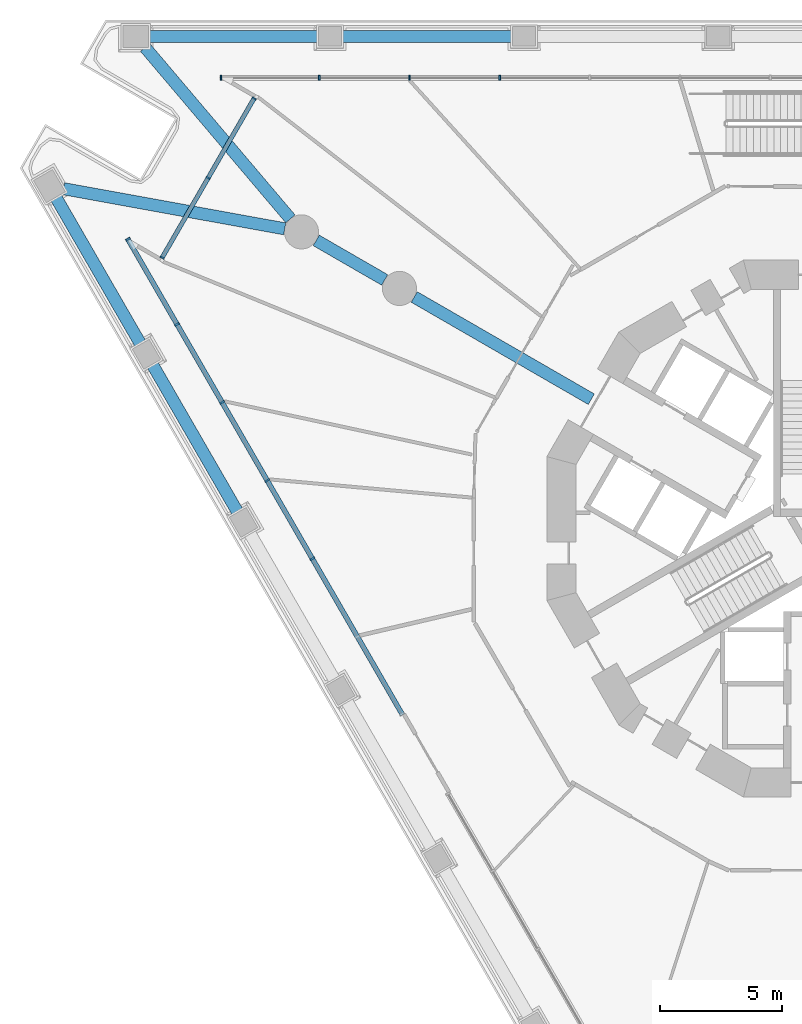
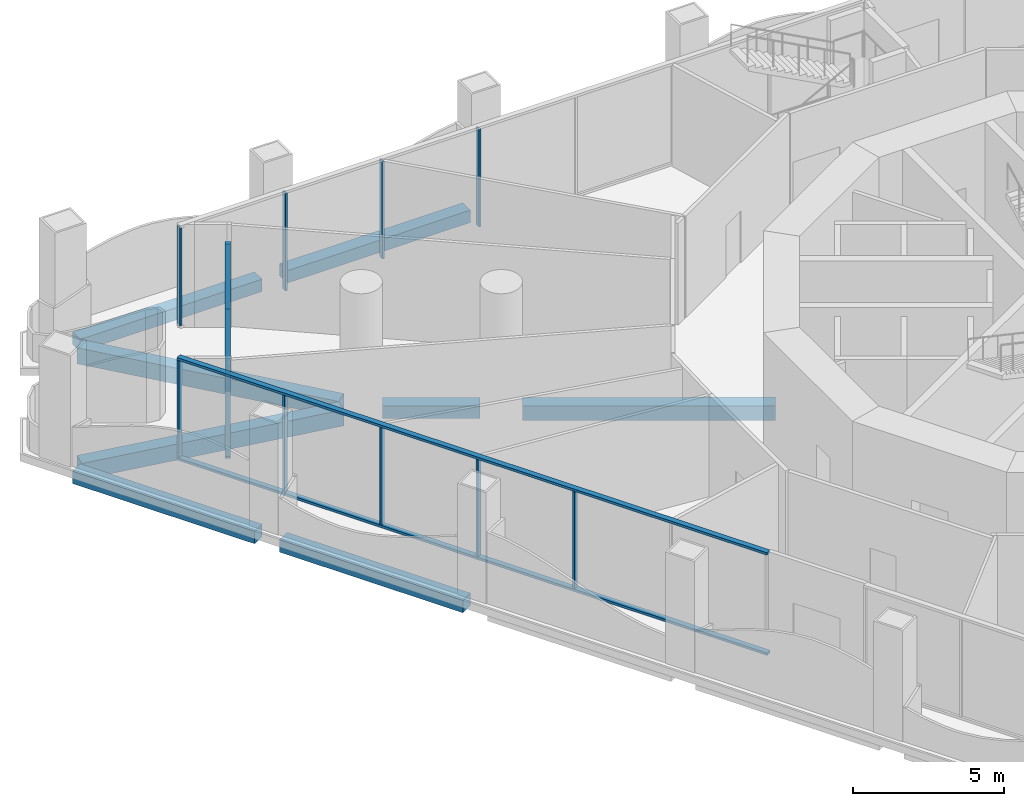
# One storey, part 5 of 22: 16 members, 8 beams, 3 elements without a shape of their own.
"""IFC4 building model written with IfcOpenShell, lengths in metres."""

from ifc_helpers import new_model, si_unit, direction, frame, origin, origin_2d, place, context, subcontext, project, spatial, rectangle, extrude, material, layer, layer_set, material_profile, profile_set, type_object, element, aggregate, save


model = new_model("IFC4")

# Units and contexts
model_context = context("Model", 3, precision=1e-05, world=origin(), true_north=direction((0.0, 1.0)))
body_context = subcontext(model_context, "Body", "Model", "MODEL_VIEW")
ifc_project = project(units=[si_unit("LENGTHUNIT", "METRE"), si_unit("AREAUNIT", "SQUARE_METRE"), si_unit("VOLUMEUNIT", "CUBIC_METRE"), si_unit("PLANEANGLEUNIT", "RADIAN"), si_unit("MASSUNIT", "GRAM", prefix="KILO")], contexts=[model_context])

# Site, building, storey
site_placement = place(None, origin())
site = spatial("IfcSite", under=ifc_project, at=site_placement, CompositionType="ELEMENT")
building_placement = place(site_placement, origin())
building = spatial("IfcBuilding", under=site, at=building_placement, Name="Trine Commons Tower", CompositionType="ELEMENT")
storey_placement = place(building_placement, frame((0.0, 0.0, 22.5)))
storey = spatial("IfcBuildingStorey", under=building, at=storey_placement, Name="L04", CompositionType="ELEMENT", Elevation=22.5)

# Curtain wall, members
ifc_material_1 = material(Name="Corner pocket glazing: anodised aluminium frame with low-emissivity double glazed unit, laminated", Category="aluminium")
ifc_layer_1 = layer(ifc_material_1, 0.179931640625)
ifc_layer_set_1 = layer_set([ifc_layer_1], Name="Corner pocket glazing: anodised aluminium frame with low-emissivity double glazed unit, laminated")
curtain_wall_type_1 = type_object("IfcCurtainWallType", Name="Corner pocket glazing curtain wall CW8", PredefinedType="NOTDEFINED", material=ifc_layer_set_1)
curtain_wall_1_placement = place(storey_placement, origin())
curtain_wall_1 = element("IfcCurtainWall", 1, at=curtain_wall_1_placement, inside=storey, type_object=curtain_wall_type_1, Name="Corner pocket glazing L04 P1.1", PredefinedType="NOTDEFINED")
ifc_material_2 = material(Name="Anodised aluminium, bronze finish", Category="aluminium")
ifc_material_profile_1 = material_profile(ifc_material_2, rectangle(XDim=0.179931640625, YDim=0.06494140625, at=origin_2d()), Name="Mullion 65x180")
ifc_profile_set_1 = profile_set([ifc_material_profile_1], Name="Anodised aluminium, bronze finish")
member_type_1 = type_object("IfcMemberType", Name="Mullion 65x180, Anodised aluminium, bronze finish", PredefinedType="MULLION", material=ifc_profile_set_1)
member_1_placement = place(storey_placement, frame((53.2099609375, 73.616943359375, 0.090087890625), z_axis=(0.0, 0.0, 1.0), x_axis=(-0.866025403784, 0.5, 0.0)))
member_1 = element("IfcMember", 2, at=member_1_placement, type_object=member_type_1, Name="CW8 mullion 1.1", PredefinedType="MULLION", context=body_context, shape_type="SweptSolid", body=[
    extrude(rectangle(XDim=0.179931640625, YDim=0.06494140625, at=origin_2d()), origin(), (0.0, 0.0, 1.0), 3.2998046875),
])
member_2_placement = place(storey_placement, frame((55.09375, 76.879638671875, 0.090087890625), z_axis=(0.0, 0.0, 1.0), x_axis=(-0.866025403784, 0.5, 0.0)))
member_2 = element("IfcMember", 3, at=member_2_placement, type_object=member_type_1, Name="CW8 mullion 2.1", PredefinedType="MULLION", context=body_context, shape_type="SweptSolid", body=[
    extrude(rectangle(XDim=0.179931640625, YDim=0.06494140625, at=origin_2d()), origin(), (0.0, 0.0, 1.0), 3.2998046875),
])
member_3_placement = place(storey_placement, frame((56.9775390625, 80.142333984375, 0.090087890625), z_axis=(0.0, 0.0, 1.0), x_axis=(-0.866025403784, 0.5, 0.0)))
member_3 = element("IfcMember", 4, at=member_3_placement, type_object=member_type_1, Name="CW8 mullion 3.1", PredefinedType="MULLION", context=body_context, shape_type="SweptSolid", body=[
    extrude(rectangle(XDim=0.179931640625, YDim=0.06494140625, at=origin_2d()), origin(), (0.0, 0.0, 1.0), 3.2998046875),
])

ifc_material_3 = material(Name="Podium glazing: anodised aluminium frame with low-emissivity double glazed unit", Category="aluminium")
ifc_layer_2 = layer(ifc_material_3, 0.199951171875)
ifc_layer_set_2 = layer_set([ifc_layer_2], Name="Podium glazing: anodised aluminium frame with low-emissivity double glazed unit")
curtain_wall_type_2 = type_object("IfcCurtainWallType", Name="Podium glazing curtain wall CW3", PredefinedType="NOTDEFINED", material=ifc_layer_set_2)
curtain_wall_2_placement = place(storey_placement, origin())
curtain_wall_2 = element("IfcCurtainWall", 5, at=curtain_wall_2_placement, inside=storey, type_object=curtain_wall_type_2, Name="Podium glazing L04 F1.1", PredefinedType="NOTDEFINED")
ifc_material_profile_2 = material_profile(ifc_material_2, rectangle(XDim=0.199951171875, YDim=0.074951171875, at=origin_2d()), Name="Mullion 75x200")
ifc_profile_set_2 = profile_set([ifc_material_profile_2], Name="Anodised aluminium, bronze finish")
member_type_2 = type_object("IfcMemberType", Name="Mullion 75x200, Anodised aluminium, bronze finish", PredefinedType="MULLION", material=ifc_profile_set_2)
member_4_placement = place(storey_placement, frame((55.62109375, 80.984619140625, 0.10009765625), z_axis=(0.0, 0.0, 1.0), x_axis=(0.0, 1.0, 0.0)))
member_4 = element("IfcMember", 6, at=member_4_placement, type_object=member_type_2, Name="CW3 mullion 1.1", PredefinedType="MULLION", context=body_context, shape_type="SweptSolid", body=[
    extrude(rectangle(XDim=0.199951171875, YDim=0.074951171875, at=origin_2d()), origin(), (0.0, 0.0, 1.0), 3.949951171875),
])
member_5_placement = place(storey_placement, frame((59.65576171875, 80.984619140625, 0.10009765625), z_axis=(0.0, 0.0, 1.0), x_axis=(0.0, 1.0, 0.0)))
member_5 = element("IfcMember", 7, at=member_5_placement, type_object=member_type_2, Name="CW3 mullion 2.1", PredefinedType="MULLION", context=body_context, shape_type="SweptSolid", body=[
    extrude(rectangle(XDim=0.199951171875, YDim=0.074951171875, at=origin_2d()), origin(), (0.0, 0.0, 1.0), 3.949951171875),
])
member_6_placement = place(storey_placement, frame((63.354736328125, 80.984619140625, 0.10009765625), z_axis=(0.0, 0.0, 1.0), x_axis=(0.0, 1.0, 0.0)))
member_6 = element("IfcMember", 8, at=member_6_placement, type_object=member_type_2, Name="CW3 mullion 3.1", PredefinedType="MULLION", context=body_context, shape_type="SweptSolid", body=[
    extrude(rectangle(XDim=0.199951171875, YDim=0.074951171875, at=origin_2d()), origin(), (0.0, 0.0, 1.0), 3.949951171875),
])
member_7_placement = place(storey_placement, frame((67.0537109375, 80.984619140625, 0.10009765625), z_axis=(0.0, 0.0, 1.0), x_axis=(0.0, 1.0, 0.0)))
member_7 = element("IfcMember", 9, at=member_7_placement, type_object=member_type_2, Name="CW3 mullion 4.1", PredefinedType="MULLION", context=body_context, shape_type="SweptSolid", body=[
    extrude(rectangle(XDim=0.199951171875, YDim=0.074951171875, at=origin_2d()), origin(), (0.0, 0.0, 1.0), 3.949951171875),
])
aggregate(curtain_wall_2, [member_4, member_5, member_6, member_7])

curtain_wall_3_placement = place(storey_placement, origin())
curtain_wall_3 = element("IfcCurtainWall", 10, at=curtain_wall_3_placement, inside=storey, type_object=curtain_wall_type_2, Name="Podium glazing L04 F3.2", PredefinedType="NOTDEFINED")
member_8_placement = place(storey_placement, frame((59.368408203125, 61.265869140625, 0.10009765625), z_axis=(0.0, 0.0, 1.0), x_axis=(-0.866025403784, -0.5, 0.0)))
member_8 = element("IfcMember", 11, at=member_8_placement, type_object=member_type_2, Name="CW3 mullion 3.1", PredefinedType="MULLION", context=body_context, shape_type="SweptSolid", body=[
    extrude(rectangle(XDim=0.199951171875, YDim=0.074951171875, at=origin_2d()), origin(), (0.0, 0.0, 1.0), 3.949951171875),
])
member_9_placement = place(storey_placement, frame((57.518798828125, 64.46923828125, 0.10009765625), z_axis=(0.0, 0.0, 1.0), x_axis=(-0.866025403784, -0.5, 0.0)))
member_9 = element("IfcMember", 12, at=member_9_placement, type_object=member_type_2, Name="CW3 mullion 4.1", PredefinedType="MULLION", context=body_context, shape_type="SweptSolid", body=[
    extrude(rectangle(XDim=0.199951171875, YDim=0.074951171875, at=origin_2d()), origin(), (0.0, 0.0, 1.0), 3.949951171875),
])
member_10_placement = place(storey_placement, frame((55.66943359375, 67.672607421875, 0.10009765625), z_axis=(0.0, 0.0, 1.0), x_axis=(-0.866025403784, -0.5, 0.0)))
member_10 = element("IfcMember", 13, at=member_10_placement, type_object=member_type_2, Name="CW3 mullion 5.1", PredefinedType="MULLION", context=body_context, shape_type="SweptSolid", body=[
    extrude(rectangle(XDim=0.199951171875, YDim=0.074951171875, at=origin_2d()), origin(), (0.0, 0.0, 1.0), 3.949951171875),
])
member_11_placement = place(storey_placement, frame((53.820068359375, 70.8759765625, 0.10009765625), z_axis=(0.0, 0.0, 1.0), x_axis=(-0.866025403784, -0.5, 0.0)))
member_11 = element("IfcMember", 14, at=member_11_placement, type_object=member_type_2, Name="CW3 mullion 6.1", PredefinedType="MULLION", context=body_context, shape_type="SweptSolid", body=[
    extrude(rectangle(XDim=0.199951171875, YDim=0.074951171875, at=origin_2d()), origin(), (0.0, 0.0, 1.0), 3.949951171875),
])
member_12_placement = place(storey_placement, frame((51.802490234375, 74.370361328125, 0.10009765625), z_axis=(0.0, 0.0, 1.0), x_axis=(-0.866025403784, -0.5, 0.0)))
member_12 = element("IfcMember", 15, at=member_12_placement, type_object=member_type_2, Name="CW3 mullion 7.1", PredefinedType="MULLION", context=body_context, shape_type="SweptSolid", body=[
    extrude(rectangle(XDim=0.199951171875, YDim=0.074951171875, at=origin_2d()), origin(), (0.0, 0.0, 1.0), 3.949951171875),
])

# Beams
ifc_material_4 = material(Name="Concrete C50/60", Category="concrete")
ifc_material_profile_3 = material_profile(ifc_material_4, rectangle(XDim=0.5, YDim=0.5, at=origin_2d()), Name="RC 500x500")
ifc_profile_set_3 = profile_set([ifc_material_profile_3], Name="Concrete C50/60")
beam_type_1 = type_object("IfcBeamType", Name="RC beam 500x500, C50/60", PredefinedType="BEAM", material=ifc_profile_set_3)
beam_1_placement = place(storey_placement, frame((56.3095703125, 63.163818359375, -0.60009765625), z_axis=(-0.499991645397, 0.866030227263, 0.0), x_axis=(-0.866030227263, -0.499991645397, 0.0)))
element("IfcBeam", 16, at=beam_1_placement, inside=storey, type_object=beam_type_1, Name="Beam EB1-06 L04", PredefinedType="BEAM", context=body_context, shape_type="SweptSolid", body=[
    extrude(rectangle(XDim=0.5, YDim=0.5, at=origin_2d()), origin(), (0.0, 0.0, 1.0), 7.01318359375),
])
for number, where, z_axis, x_axis, name in (
    (17, (52.327880859375, 70.060302734375, -0.60009765625), (-0.49999660792, 0.866027362194, 0.0), (-0.866027362194, -0.49999660792, 0.0), "Beam EB1-07 L04"),
    (18, (52.6533203125, 82.6845703125, -0.60009765625), (1.0, 0.0, 0.0), (0.0, 1.0, 0.0), "Beam EB1-08 L04"),
):
    element("IfcBeam", number, at=place(storey_placement, frame(where, z_axis=z_axis, x_axis=x_axis)), inside=storey, type_object=beam_type_1, Name=name, PredefinedType="BEAM", context=body_context, shape_type="SweptSolid", body=[
        extrude(rectangle(XDim=0.5, YDim=0.5, at=origin_2d()), origin(), (0.0, 0.0, 1.0), 6.96337890625),
    ])
beam_2_placement = place(storey_placement, frame((60.566650390625, 82.6845703125, -0.60009765625), z_axis=(1.0, 0.0, 0.0), x_axis=(0.0, 1.0, 0.0)))
element("IfcBeam", 19, at=beam_2_placement, inside=storey, type_object=beam_type_1, Name="Beam EB1-09 L04", PredefinedType="BEAM", context=body_context, shape_type="SweptSolid", body=[
    extrude(rectangle(XDim=0.5, YDim=0.5, at=origin_2d()), origin(), (0.0, 0.0, 1.0), 7.01318359375),
])
beam_3_placement = place(storey_placement, frame((62.336181640625, 72.697998046875, -0.60009765625), z_axis=(-0.865996235589, 0.500050517394, 0.0), x_axis=(-0.500050517394, -0.865996235589, 0.0)))
element("IfcBeam", 20, at=beam_3_placement, inside=storey, type_object=beam_type_1, Name="Beam RB1-06 L04", PredefinedType="BEAM", context=body_context, shape_type="SweptSolid", body=[
    extrude(rectangle(XDim=0.5, YDim=0.5, at=origin_2d()), origin(), (0.0, 0.0, 1.0), 3.242431640625),
])
ifc_material_profile_4 = material_profile(ifc_material_4, rectangle(XDim=0.5, YDim=0.60009765625, at=origin_2d()), Name="RC 500x600")
ifc_profile_set_4 = profile_set([ifc_material_profile_4], Name="Concrete C50/60")
beam_type_2 = type_object("IfcBeamType", Name="RC beam 500x600, C50/60", PredefinedType="BEAM", material=ifc_profile_set_4)
beam_4_placement = place(storey_placement, frame((70.81005859375, 67.805908203125, -0.64990234375), z_axis=(-0.866038208851, 0.499977820318, 0.0), x_axis=(-0.499977820318, -0.866038208851, 0.0)))
element("IfcBeam", 21, at=beam_4_placement, inside=storey, type_object=beam_type_2, Name="Beam RB1-05 L04", PredefinedType="BEAM", context=body_context, shape_type="SweptSolid", body=[
    extrude(rectangle(XDim=0.5, YDim=0.60009765625, at=origin_2d()), origin(), (0.0, 0.0, 1.0), 8.38623046875),
])
ifc_material_profile_5 = material_profile(ifc_material_4, rectangle(XDim=0.5, YDim=0.64990234375, at=origin_2d()), Name="RC 500x650")
ifc_profile_set_5 = profile_set([ifc_material_profile_5], Name="Concrete C50/60")
beam_type_3 = type_object("IfcBeamType", Name="RC beam 500x650, C50/60", PredefinedType="BEAM", material=ifc_profile_set_5)
for number, where, z_axis, x_axis, name in (
    (22, (49.1640625, 76.440185546875, -0.675048828125), (0.983921563764, -0.178601109628, 0.0), (0.178601109628, 0.983921563764, 0.0), "Beam CB1-01 L04"),
    (23, (52.509521484375, 82.234619140625, -0.675048828125), (0.646611559024, -0.762819435867, 0.0), (0.762819435867, 0.646611559024, 0.0), "Beam CB1-02 L04"),
):
    element("IfcBeam", number, at=place(storey_placement, frame(where, z_axis=z_axis, x_axis=x_axis)), inside=storey, type_object=beam_type_3, Name=name, PredefinedType="BEAM", context=body_context, shape_type="SweptSolid", body=[
        extrude(rectangle(XDim=0.5, YDim=0.64990234375, at=origin_2d()), origin(), (0.0, 0.0, 1.0), 9.21875),
    ])

# Member
ifc_material_profile_6 = material_profile(ifc_material_2, rectangle(XDim=0.199951171875, YDim=0.10009765625, at=origin_2d()), Name="Transom 100x200")
ifc_profile_set_6 = profile_set([ifc_material_profile_6], Name="Anodised aluminium, bronze finish")
member_type_3 = type_object("IfcMemberType", Name="Transom 100x200, Anodised aluminium, bronze finish", PredefinedType="USERDEFINED", material=ifc_profile_set_6)
member_13_placement = place(storey_placement, frame((63.067138671875, 54.859130859375, 0.050048828125), z_axis=(-0.499996215711, 0.866027588634, 0.0), x_axis=(-0.866027588634, -0.499996215711, 0.0)))
member_13 = element("IfcMember", 24, at=member_13_placement, type_object=member_type_3, Name="CW3 transom T00", ObjectType="TRANSOM", PredefinedType="USERDEFINED", context=body_context, shape_type="SweptSolid", body=[
    extrude(rectangle(XDim=0.199951171875, YDim=0.10009765625, at=origin_2d()), origin(), (0.0, 0.0, 1.0), 22.567138671875),
])

member_14_placement = place(storey_placement, frame((63.067138671875, 54.859130859375, 4.10009765625), z_axis=(-0.499996215711, 0.866027588634, 0.0), x_axis=(-0.866027588634, -0.499996215711, 0.0)))
member_14 = element("IfcMember", 25, at=member_14_placement, type_object=member_type_3, Name="CW3 transom TH00", ObjectType="TRANSOM", PredefinedType="USERDEFINED", context=body_context, shape_type="SweptSolid", body=[
    extrude(rectangle(XDim=0.199951171875, YDim=0.10009765625, at=origin_2d()), origin(), (0.0, 0.0, 1.0), 22.567138671875),
])

aggregate(curtain_wall_3, [member_13, member_14, member_8, member_9, member_10, member_11, member_12])

ifc_material_profile_7 = material_profile(ifc_material_2, rectangle(XDim=0.179931640625, YDim=0.090087890625, at=origin_2d()), Name="Transom 90x180")
ifc_profile_set_7 = profile_set([ifc_material_profile_7], Name="Anodised aluminium, bronze finish")
member_type_4 = type_object("IfcMemberType", Name="Transom 90x180, Anodised aluminium, bronze finish", PredefinedType="USERDEFINED", material=ifc_profile_set_7)
member_15_placement = place(storey_placement, frame((53.19384765625, 73.588623046875, 0.044921875), z_axis=(0.500005158081, 0.866022425744, 0.0), x_axis=(-0.866022425744, 0.500005158081, 0.0)))
member_15 = element("IfcMember", 26, at=member_15_placement, type_object=member_type_4, Name="CW8 transom T00", ObjectType="TRANSOM", PredefinedType="USERDEFINED", context=body_context, shape_type="SweptSolid", body=[
    extrude(rectangle(XDim=0.179931640625, YDim=0.090087890625, at=origin_2d()), origin(), (0.0, 0.0, 1.0), 7.60009765625),
])

member_16_placement = place(storey_placement, frame((53.19384765625, 73.588623046875, 3.43505859375), z_axis=(0.500005158081, 0.866022425744, 0.0), x_axis=(-0.866022425744, 0.500005158081, 0.0)))
member_16 = element("IfcMember", 27, at=member_16_placement, type_object=member_type_4, Name="CW8 transom TH00", ObjectType="TRANSOM", PredefinedType="USERDEFINED", context=body_context, shape_type="SweptSolid", body=[
    extrude(rectangle(XDim=0.179931640625, YDim=0.090087890625, at=origin_2d()), origin(), (0.0, 0.0, 1.0), 7.60009765625),
])

aggregate(curtain_wall_1, [member_15, member_16, member_1, member_2, member_3])

save(model, "model.ifc")
